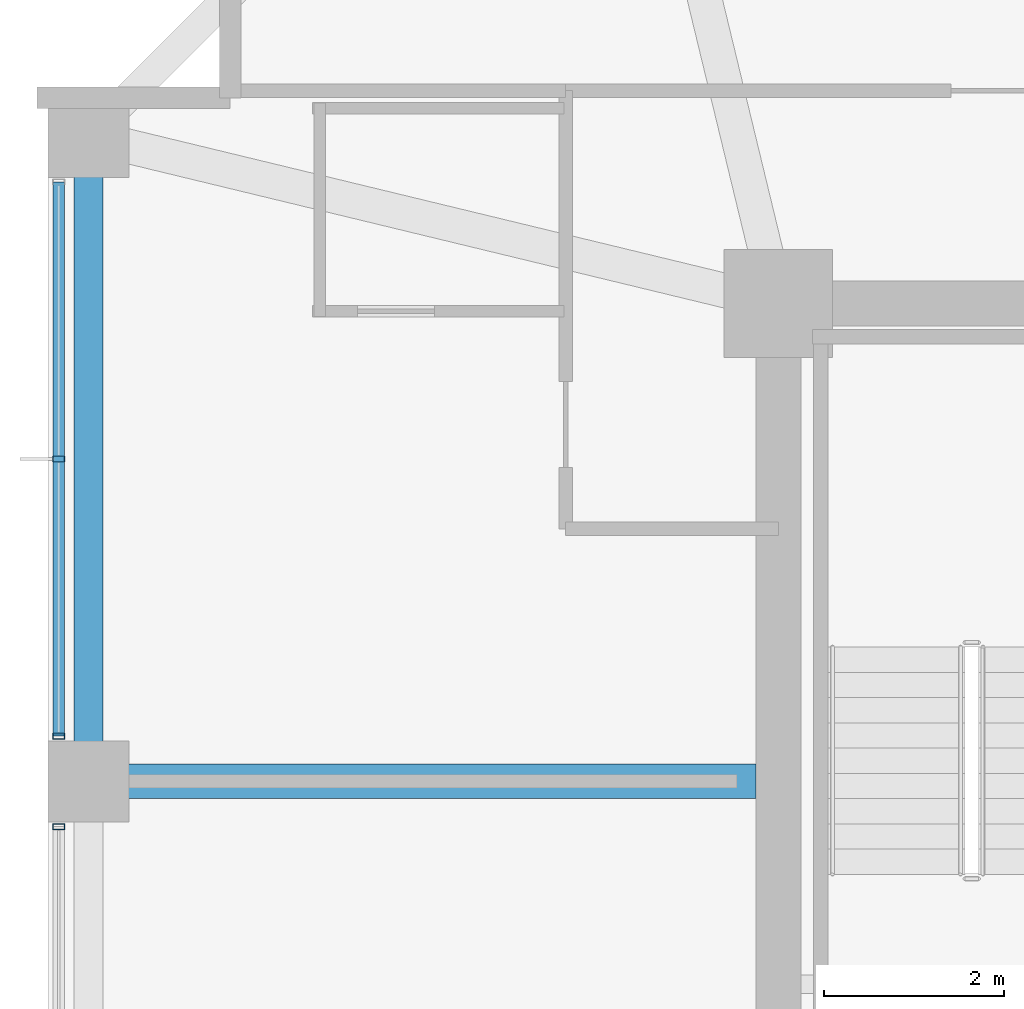
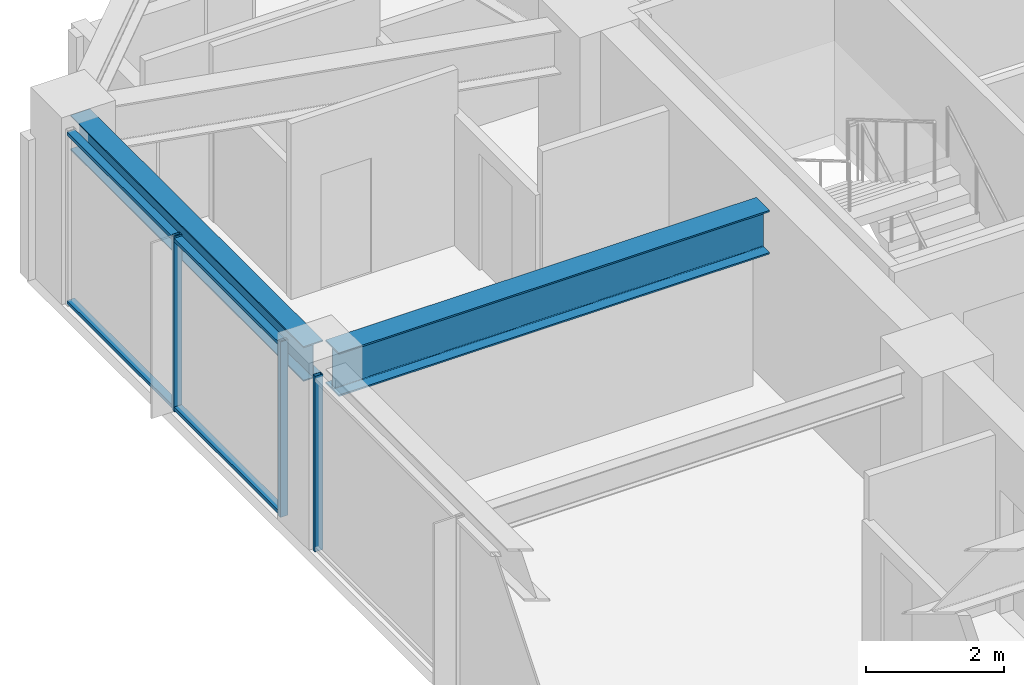
# One storey, part 11 of 31: 5 members, 2 beams, 2 elements without a shape of their own.
"""IFC4 building model written with IfcOpenShell, lengths in metres."""

from ifc_helpers import new_model, si_unit, direction, frame, origin, origin_2d, place, context, subcontext, project, spatial, hollow_rectangle, i_section, extrude, material, material_profile, profile_set, type_object, element, aggregate, save


model = new_model("IFC4")

# Units and contexts
model_context = context("Model", 3, precision=1e-05, world=origin(), true_north=direction((0.0, 1.0)))
body_context = subcontext(model_context, "Body", "Model", "MODEL_VIEW")
ifc_project = project(units=[si_unit("LENGTHUNIT", "METRE"), si_unit("AREAUNIT", "SQUARE_METRE"), si_unit("VOLUMEUNIT", "CUBIC_METRE"), si_unit("PLANEANGLEUNIT", "RADIAN"), si_unit("MASSUNIT", "GRAM", prefix="KILO")], contexts=[model_context])

# Site, building, storey
site_placement = place(None, origin())
site = spatial("IfcSite", under=ifc_project, at=site_placement, CompositionType="ELEMENT")
building_placement = place(site_placement, origin())
building = spatial("IfcBuilding", under=site, at=building_placement, Name="Kolvaren Belvedere", CompositionType="ELEMENT")
storey_placement = place(building_placement, frame((0.0, 0.0, 134.89990234375)))
storey = spatial("IfcBuildingStorey", under=building, at=storey_placement, Name="L39", CompositionType="ELEMENT", Elevation=134.89990234375)

# Beams
ifc_material_1 = material(Name="Structural steel ASTM A992 Grade 50", Category="steel")
ifc_material_profile_1 = material_profile(ifc_material_1, i_section(OverallWidth=0.381103515625, OverallDepth=0.77294921875, WebThickness=0.0166015625, FlangeThickness=0.027099609375, FilletRadius=0.02392578125, at=origin_2d()), Name="W30X173")
ifc_profile_set_1 = profile_set([ifc_material_profile_1], Name="Structural steel ASTM A992 Grade 50")
beam_type_1 = type_object("IfcBeamType", Name="BM-GIRD-W30X173", PredefinedType="BEAM", material=ifc_profile_set_1)
beam_1_placement = place(storey_placement, frame((-10.14990234375, 4.60009765625, 2.713623046875), z_axis=(-1.0, 0.0, 0.0), x_axis=(0.0, -1.0, 0.0)))
element("IfcBeam", 1, at=beam_1_placement, inside=storey, type_object=beam_type_1, Name="L39 West Radial Girder P", PredefinedType="BEAM", context=body_context, shape_type="SweptSolid", body=[
    extrude(i_section(OverallWidth=0.381103515625, OverallDepth=0.77294921875, WebThickness=0.0166015625, FlangeThickness=0.027099609375, FilletRadius=0.02392578125, at=origin_2d()), origin(), (0.0, 0.0, 1.0), 7.197509765625),
])
ifc_material_2 = material(Name="Structural steel ASTM A992 Grade 50", Category="steel")
ifc_material_profile_2 = material_profile(ifc_material_2, i_section(OverallWidth=0.324951171875, OverallDepth=0.615966796875, WebThickness=0.013916015625, FlangeThickness=0.021484375, FilletRadius=0.02001953125, at=origin_2d()), Name="W24X117")
ifc_profile_set_2 = profile_set([ifc_material_profile_2], Name="Structural steel ASTM A992 Grade 50")
beam_type_2 = type_object("IfcBeamType", Name="BM-SPAN-W24X117", PredefinedType="SPANDREL", material=ifc_profile_set_2)
beam_2_placement = place(storey_placement, frame((-17.550048828125, 11.547607421875, 2.7919921875), z_axis=(0.0, -1.0, 0.0), x_axis=(1.0, 0.0, 0.0)))
element("IfcBeam", 2, at=beam_2_placement, inside=storey, type_object=beam_type_2, Name="L39 Perimeter Spandrel W4-W3", PredefinedType="SPANDREL", context=body_context, shape_type="SweptSolid", body=[
    extrude(i_section(OverallWidth=0.324951171875, OverallDepth=0.615966796875, WebThickness=0.013916015625, FlangeThickness=0.021484375, FilletRadius=0.02001953125, at=origin_2d()), origin(), (0.0, 0.0, 1.0), 6.7451171875),
])

# Curtain wall, member
ifc_material_3 = material(Name="Anodised pale-metal aluminium AA 6063-T6", Category="aluminium")
curtain_wall_type = type_object("IfcCurtainWallType", Name="CW-Z3-WAIST", PredefinedType="NOTDEFINED", material=ifc_material_3)
curtain_wall_1_placement = place(storey_placement, origin())
curtain_wall_1 = element("IfcCurtainWall", 3, at=curtain_wall_1_placement, inside=storey, type_object=curtain_wall_type, Name="L39 Unitised Curtain Wall FCW-L39-W-B2", PredefinedType="NOTDEFINED")
ifc_material_4 = material(Name="Anodised pale-metal aluminium AA 6063-T6", Category="aluminium")
ifc_material_profile_3 = material_profile(ifc_material_4, hollow_rectangle(XDim=0.06494140625, YDim=0.1298828125, WallThickness=0.00390625, at=origin_2d()), Name="ALU-MUL-130X65")
ifc_profile_set_3 = profile_set([ifc_material_profile_3], Name="Anodised pale-metal aluminium AA 6063-T6")
member_type_1 = type_object("IfcMemberType", Name="CW-MUL-130", PredefinedType="MULLION", material=ifc_profile_set_3)
member_1_placement = place(storey_placement, frame((-17.8798828125, 4.097412109375, 0.0), z_axis=(0.0, 0.0, 1.0), x_axis=(0.0, 1.0, 0.0)))
member_1 = element("IfcMember", 4, at=member_1_placement, type_object=member_type_1, Name="FCW-L39-W-B2 Unitised Mullion 3", PredefinedType="MULLION", context=body_context, shape_type="SweptSolid", body=[
    extrude(hollow_rectangle(XDim=0.06494140625, YDim=0.1298828125, WallThickness=0.00390625, at=origin_2d()), origin(), (0.0, 0.0, 1.0), 3.10009765625),
])
aggregate(curtain_wall_1, [member_1])

# Curtain wall, members
curtain_wall_2_placement = place(storey_placement, origin())
curtain_wall_2 = element("IfcCurtainWall", 5, at=curtain_wall_2_placement, inside=storey, type_object=curtain_wall_type, Name="L39 Unitised Curtain Wall FCW-L39-W-B3", PredefinedType="NOTDEFINED")
member_2_placement = place(storey_placement, frame((-17.8798828125, 5.1025390625, 0.0), z_axis=(0.0, 0.0, 1.0), x_axis=(0.0, 1.0, 0.0)))
member_2 = element("IfcMember", 6, at=member_2_placement, type_object=member_type_1, Name="FCW-L39-W-B3 Unitised Mullion 1", PredefinedType="MULLION", context=body_context, shape_type="SweptSolid", body=[
    extrude(hollow_rectangle(XDim=0.06494140625, YDim=0.1298828125, WallThickness=0.00390625, at=origin_2d()), origin(), (0.0, 0.0, 1.0), 3.10009765625),
])
member_3_placement = place(storey_placement, frame((-17.8798828125, 8.175048828125, 0.0), z_axis=(0.0, 0.0, 1.0), x_axis=(0.0, 1.0, 0.0)))
member_3 = element("IfcMember", 7, at=member_3_placement, type_object=member_type_1, Name="FCW-L39-W-B3 Unitised Mullion 2", PredefinedType="MULLION", context=body_context, shape_type="SweptSolid", body=[
    extrude(hollow_rectangle(XDim=0.06494140625, YDim=0.1298828125, WallThickness=0.00390625, at=origin_2d()), origin(), (0.0, 0.0, 1.0), 3.10009765625),
])
ifc_material_5 = material(Name="Anodised pale-metal aluminium AA 6063-T6", Category="aluminium")
ifc_material_profile_4 = material_profile(ifc_material_5, hollow_rectangle(XDim=0.06005859375, YDim=0.1298828125, WallThickness=0.00390625, at=origin_2d()), Name="ALU-TRN-130X60")
ifc_profile_set_4 = profile_set([ifc_material_profile_4], Name="Anodised pale-metal aluminium AA 6063-T6")
member_type_2 = type_object("IfcMemberType", Name="CW-TRN-130", PredefinedType="USERDEFINED", material=ifc_profile_set_4)
member_4_placement = place(storey_placement, frame((-17.8798828125, 5.1025390625, 0.06005859375), z_axis=(0.0, 1.0, 0.0), x_axis=(0.0, 0.0, 1.0)))
member_4 = element("IfcMember", 8, at=member_4_placement, type_object=member_type_2, Name="FCW-L39-W-B3 Sill Transom", ObjectType="TRANSOM", PredefinedType="USERDEFINED", context=body_context, shape_type="SweptSolid", body=[
    extrude(hollow_rectangle(XDim=0.06005859375, YDim=0.1298828125, WallThickness=0.00390625, at=origin_2d()), origin(), (0.0, 0.0, 1.0), 6.14501953125),
])
member_5_placement = place(storey_placement, frame((-17.8798828125, 5.1025390625, 3.0400390625), z_axis=(0.0, 1.0, 0.0), x_axis=(0.0, 0.0, 1.0)))
member_5 = element("IfcMember", 9, at=member_5_placement, type_object=member_type_2, Name="FCW-L39-W-B3 Head Transom", ObjectType="TRANSOM", PredefinedType="USERDEFINED", context=body_context, shape_type="SweptSolid", body=[
    extrude(hollow_rectangle(XDim=0.06005859375, YDim=0.1298828125, WallThickness=0.00390625, at=origin_2d()), origin(), (0.0, 0.0, 1.0), 6.14501953125),
])
aggregate(curtain_wall_2, [member_2, member_3, member_4, member_5])

save(model, "model.ifc")
